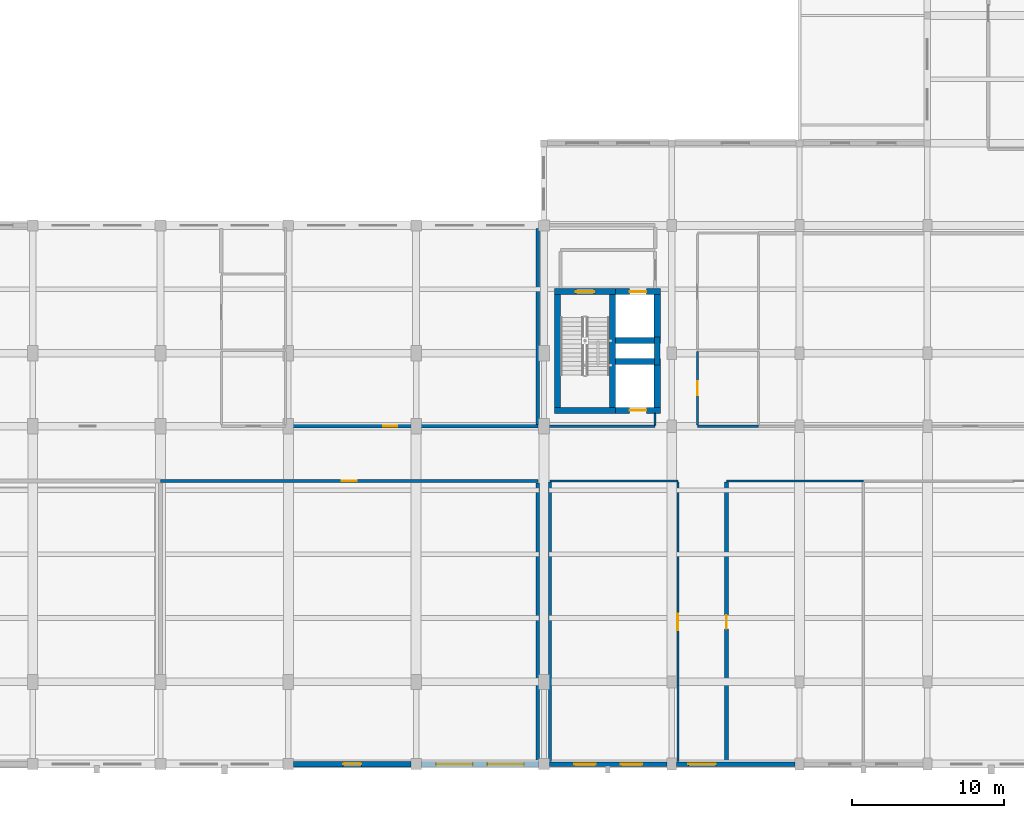
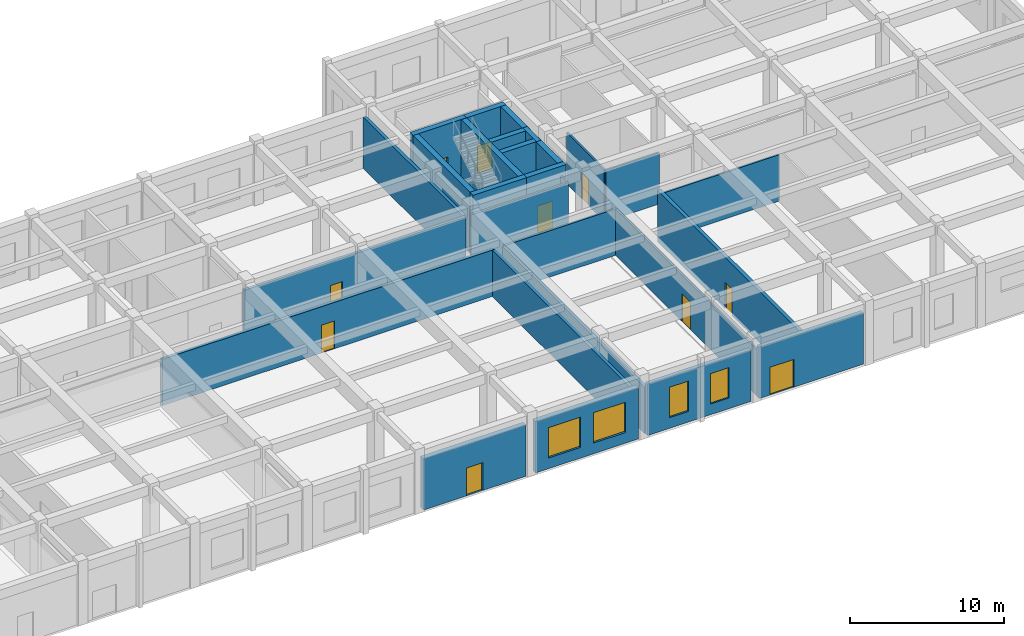
# One storey, part 59 of 80: 28 walls, 10 doors, 4 windows, 14 openings.
"""IFC4 building model written with IfcOpenShell, lengths in metres."""

from ifc_helpers import new_model, si_unit, direction, frame, frame_2d, origin, place, context, subcontext, project, spatial, rectangle, extrude, material, layer, layer_set, type_object, element, fill, save


model = new_model("IFC4")

# Units and contexts
model_context = context("Model", 3, precision=1e-05, world=origin(), true_north=direction((0.0, 1.0)))
body_context = subcontext(model_context, "Body", "Model", "MODEL_VIEW")
ifc_project = project(units=[si_unit("LENGTHUNIT", "METRE"), si_unit("AREAUNIT", "SQUARE_METRE"), si_unit("VOLUMEUNIT", "CUBIC_METRE"), si_unit("PLANEANGLEUNIT", "RADIAN"), si_unit("MASSUNIT", "GRAM", prefix="KILO")], contexts=[model_context])

# Site, building, storey
site_placement = place(None, origin())
site = spatial("IfcSite", under=ifc_project, at=site_placement, CompositionType="ELEMENT")
building_placement = place(site_placement, origin())
building = spatial("IfcBuilding", under=site, at=building_placement, Name="Krzemoval Escarpment Law Courts", CompositionType="ELEMENT")
storey_placement = place(building_placement, origin())
storey = spatial("IfcBuildingStorey", under=building, at=storey_placement, Name="L00", CompositionType="ELEMENT", Elevation=0.0)

# Wall, opening, door
ifc_material_1 = material(Name="Precast concrete C40/50", Category="concrete")
ifc_layer_1 = layer(ifc_material_1, 0.300048828125)
ifc_layer_set_1 = layer_set([ifc_layer_1], Name="Precast concrete C40/50")
wall_type_1 = type_object("IfcWallType", Name="WL-EXT-300", PredefinedType="SOLIDWALL", material=ifc_layer_set_1)
wall_1_placement = place(storey_placement, frame((125.699951171875, 0.0, 0.0), z_axis=(0.0, 0.0, 1.0), x_axis=(-1.0, 0.0, 0.0)))
wall_1 = element("IfcWall", 1, at=wall_1_placement, inside=storey, type_object=wall_type_1, Name="Exterior Wall EW-L00-0132", PredefinedType="SOLIDWALL", context=body_context, shape_type="SweptSolid", body=[
    extrude(rectangle(XDim=7.800048828125, YDim=0.300048828125, at=frame_2d((3.89990234375, 0.0))), origin(), (0.0, 0.0, 1.0), 4.070068359375),
])
opening_1_placement = place(wall_1_placement, frame((5.199951171875, 0.0, 0.0)))
opening_1 = element("IfcOpeningElement", 2, at=opening_1_placement, cuts=wall_1, Name="Opening E06A", PredefinedType="OPENING", context=body_context, shape_type="SweptSolid", body=[
    extrude(rectangle(XDim=1.800048828125, YDim=2.199951171875, at=frame_2d((0.89990234375, 1.10009765625))), frame((0.0, 0.16502, 0.0), z_axis=(0.0, -1.0, 0.0), x_axis=(1.0, 0.0, 0.0)), (0.0, 0.0, 1.0), 0.33005),
])
ifc_material_2 = material(Name="Galvanised Steel S355", Category="steel")
door_type_1 = type_object("IfcDoorType", Name="DR-EXIT-1800x2200", OperationType="SINGLE_SWING_LEFT", PredefinedType="DOOR", material=ifc_material_2)
door_1_placement = place(opening_1_placement, origin())
door_1 = element("IfcDoor", 3, at=door_1_placement, inside=storey, type_object=door_type_1, Name="Final Exit Discharge Door E06A (Stair ST6 South Street)", OperationType="DOUBLE_DOOR_SINGLE_SWING", OverallHeight=2.199951171875, OverallWidth=1.800048828125, PredefinedType="DOOR", context=body_context, shape_type="SweptSolid", body=[
    extrude(rectangle(XDim=1.800048828125, YDim=2.199951171875, at=frame_2d((0.89990234375, 1.10009765625))), frame((0.0, 0.02490234375, 0.0), z_axis=(0.0, -1.0, 0.0), x_axis=(1.0, 0.0, 0.0)), (0.0, 0.0, 1.0), 0.050048828125),
])
fill(opening_1, door_1)

# Wall, openings, windows
wall_2_placement = place(storey_placement, frame((117.300048828125, 0.0, 0.0), z_axis=(0.0, 0.0, 1.0), x_axis=(-1.0, 0.0, 0.0)))
wall_2 = element("IfcWall", 4, at=wall_2_placement, inside=storey, type_object=wall_type_1, Name="Exterior Wall EW-L00-0133", PredefinedType="SOLIDWALL", context=body_context, shape_type="SweptSolid", body=[
    extrude(rectangle(XDim=7.75, YDim=0.300048828125, at=frame_2d((3.875, 0.0))), origin(), (0.0, 0.0, 1.0), 4.070068359375),
])
opening_2_placement = place(wall_2_placement, frame((1.64990234375, 0.0, 0.85009765625)))
opening_2 = element("IfcOpeningElement", 5, at=opening_2_placement, cuts=wall_2, Name="Opening WN-L00-0086", PredefinedType="OPENING", context=body_context, shape_type="SweptSolid", body=[
    extrude(rectangle(XDim=1.39990234375, YDim=2.39990234375, at=frame_2d((0.699951171875, 1.199951171875))), frame((0.0, 0.16502, 0.0), z_axis=(0.0, -1.0, 0.0), x_axis=(1.0, 0.0, 0.0)), (0.0, 0.0, 1.0), 0.33005),
])
opening_3_placement = place(wall_2_placement, frame((4.699951171875, 0.0, 0.85009765625)))
opening_3 = element("IfcOpeningElement", 6, at=opening_3_placement, cuts=wall_2, Name="Opening WN-L00-0087", PredefinedType="OPENING", context=body_context, shape_type="SweptSolid", body=[
    extrude(rectangle(XDim=1.39990234375, YDim=2.39990234375, at=frame_2d((0.699951171875, 1.199951171875))), frame((0.0, 0.16502, 0.0), z_axis=(0.0, -1.0, 0.0), x_axis=(1.0, 0.0, 0.0)), (0.0, 0.0, 1.0), 0.33005),
])
ifc_material_3 = material(Name="Thermally Broken Aluminium Frame with Triple Low-E Acoustic Glass", Category="aluminium")
window_type_1 = type_object("IfcWindowType", Name="WN-1400x2400", PartitioningType="SINGLE_PANEL", PredefinedType="WINDOW", material=ifc_material_3)
window_1_placement = place(opening_2_placement, origin())
window_1 = element("IfcWindow", 7, at=window_1_placement, inside=storey, type_object=window_type_1, Name="Facade Window WN-L00-0086", OverallHeight=2.39990234375, OverallWidth=1.39990234375, PartitioningType="SINGLE_PANEL", PredefinedType="WINDOW", context=body_context, shape_type="SweptSolid", body=[
    extrude(rectangle(XDim=1.39990234375, YDim=2.39990234375, at=frame_2d((0.699951171875, 1.199951171875))), frame((0.0, 0.030029296875, 0.0), z_axis=(0.0, -1.0, 0.0), x_axis=(1.0, 0.0, 0.0)), (0.0, 0.0, 1.0), 0.06005859375),
])
fill(opening_2, window_1)
window_2_placement = place(opening_3_placement, origin())
window_2 = element("IfcWindow", 8, at=window_2_placement, inside=storey, type_object=window_type_1, Name="Facade Window WN-L00-0087", OverallHeight=2.39990234375, OverallWidth=1.39990234375, PartitioningType="SINGLE_PANEL", PredefinedType="WINDOW", context=body_context, shape_type="SweptSolid", body=[
    extrude(rectangle(XDim=1.39990234375, YDim=2.39990234375, at=frame_2d((0.699951171875, 1.199951171875))), frame((0.0, 0.030029296875, 0.0), z_axis=(0.0, -1.0, 0.0), x_axis=(1.0, 0.0, 0.0)), (0.0, 0.0, 1.0), 0.06005859375),
])
fill(opening_3, window_2)

ifc_material_4 = material(Name="Precast concrete C40/50", Category="concrete")
ifc_layer_2 = layer(ifc_material_4, 0.360107421875)
ifc_layer_set_2 = layer_set([ifc_layer_2], Name="Precast concrete C40/50")
wall_type_2 = type_object("IfcWallType", Name="WL-EXT-360", PredefinedType="SOLIDWALL", material=ifc_layer_set_2)
wall_3_placement = place(storey_placement, frame((108.85009765625, 0.0, 0.0), z_axis=(0.0, 0.0, 1.0), x_axis=(-1.0, 0.0, 0.0)))
wall_3 = element("IfcWall", 9, at=wall_3_placement, inside=storey, type_object=wall_type_2, Name="Exterior Wall EW-L00-0134", PredefinedType="SOLIDWALL", context=body_context, shape_type="SweptSolid", body=[
    extrude(rectangle(XDim=7.7001953125, YDim=0.360107421875, at=frame_2d((3.85009765625, 0.0))), origin(), (0.0, 0.0, 1.0), 4.070068359375),
])
opening_4_placement = place(wall_3_placement, frame((0.967041015625, 0.0, 0.85009765625)))
opening_4 = element("IfcOpeningElement", 10, at=opening_4_placement, cuts=wall_3, Name="Opening WN-L00-0088", PredefinedType="OPENING", context=body_context, shape_type="SweptSolid", body=[
    extrude(rectangle(XDim=2.39990234375, YDim=2.39990234375, at=frame_2d((1.199951171875, 1.199951171875))), frame((0.0, 0.19505, 0.0), z_axis=(0.0, -1.0, 0.0), x_axis=(1.0, 0.0, 0.0)), (0.0, 0.0, 1.0), 0.39011),
])
opening_5_placement = place(wall_3_placement, frame((4.3330078125, 0.0, 0.85009765625)))
opening_5 = element("IfcOpeningElement", 11, at=opening_5_placement, cuts=wall_3, Name="Opening WN-L00-0089", PredefinedType="OPENING", context=body_context, shape_type="SweptSolid", body=[
    extrude(rectangle(XDim=2.39990234375, YDim=2.39990234375, at=frame_2d((1.199951171875, 1.199951171875))), frame((0.0, 0.19505, 0.0), z_axis=(0.0, -1.0, 0.0), x_axis=(1.0, 0.0, 0.0)), (0.0, 0.0, 1.0), 0.39011),
])
ifc_material_5 = material(Name="Thermally Broken Aluminium Frame with Triple Low-E Acoustic Glass", Category="aluminium")
window_type_2 = type_object("IfcWindowType", Name="WN-2400x2400", PartitioningType="SINGLE_PANEL", PredefinedType="WINDOW", material=ifc_material_5)
window_3_placement = place(opening_4_placement, origin())
window_3 = element("IfcWindow", 12, at=window_3_placement, inside=storey, type_object=window_type_2, Name="Facade Window WN-L00-0088", OverallHeight=2.39990234375, OverallWidth=2.39990234375, PartitioningType="SINGLE_PANEL", PredefinedType="WINDOW", context=body_context, shape_type="SweptSolid", body=[
    extrude(rectangle(XDim=2.39990234375, YDim=2.39990234375, at=frame_2d((1.199951171875, 1.199951171875))), frame((0.0, 0.030029296875, 0.0), z_axis=(0.0, -1.0, 0.0), x_axis=(1.0, 0.0, 0.0)), (0.0, 0.0, 1.0), 0.06005859375),
])
fill(opening_4, window_3)
window_4_placement = place(opening_5_placement, origin())
window_4 = element("IfcWindow", 13, at=window_4_placement, inside=storey, type_object=window_type_2, Name="Facade Window WN-L00-0089", OverallHeight=2.39990234375, OverallWidth=2.39990234375, PartitioningType="SINGLE_PANEL", PredefinedType="WINDOW", context=body_context, shape_type="SweptSolid", body=[
    extrude(rectangle(XDim=2.39990234375, YDim=2.39990234375, at=frame_2d((1.199951171875, 1.199951171875))), frame((0.0, 0.030029296875, 0.0), z_axis=(0.0, -1.0, 0.0), x_axis=(1.0, 0.0, 0.0)), (0.0, 0.0, 1.0), 0.06005859375),
])
fill(opening_5, window_4)

# Wall, opening, door
wall_4_placement = place(storey_placement, frame((100.449951171875, 0.0, 0.0), z_axis=(0.0, 0.0, 1.0), x_axis=(-1.0, 0.0, 0.0)))
wall_4 = element("IfcWall", 14, at=wall_4_placement, inside=storey, type_object=wall_type_2, Name="Exterior Wall EW-L00-0135", PredefinedType="SOLIDWALL", context=body_context, shape_type="SweptSolid", body=[
    extrude(rectangle(XDim=7.699951171875, YDim=0.360107421875, at=frame_2d((3.85009765625, 0.0))), origin(), (0.0, 0.0, 1.0), 4.070068359375),
])
opening_6_placement = place(wall_4_placement, frame((3.25, 0.0, 0.0)))
opening_6 = element("IfcOpeningElement", 15, at=opening_6_placement, cuts=wall_4, Name="Opening ED-L00-14", PredefinedType="OPENING", context=body_context, shape_type="SweptSolid", body=[
    extrude(rectangle(XDim=1.199951171875, YDim=2.199951171875, at=frame_2d((0.60009765625, 1.10009765625))), frame((0.0, 0.19505, 0.0), z_axis=(0.0, -1.0, 0.0), x_axis=(1.0, 0.0, 0.0)), (0.0, 0.0, 1.0), 0.39011),
])
ifc_material_6 = material(Name="Galvanised Steel S355", Category="steel")
door_type_2 = type_object("IfcDoorType", Name="DR-EXT-1200x2200", OperationType="SINGLE_SWING_LEFT", PredefinedType="DOOR", material=ifc_material_6)
door_2_placement = place(opening_6_placement, origin())
door_2 = element("IfcDoor", 16, at=door_2_placement, inside=storey, type_object=door_type_2, Name="Ground Entrance Door ED-L00-14", OperationType="SINGLE_SWING_LEFT", OverallHeight=2.199951171875, OverallWidth=1.199951171875, PredefinedType="DOOR", context=body_context, shape_type="SweptSolid", body=[
    extrude(rectangle(XDim=1.199951171875, YDim=2.199951171875, at=frame_2d((0.60009765625, 1.10009765625))), frame((0.0, 0.02490234375, 0.0), z_axis=(0.0, -1.0, 0.0), x_axis=(1.0, 0.0, 0.0)), (0.0, 0.0, 1.0), 0.050048828125),
])
fill(opening_6, door_2)

# Walls
ifc_material_7 = material(Name="Light Internal Subdivision Partition", Category="gypsum")
ifc_layer_3 = layer(ifc_material_7, 0.114990234375)
ifc_layer_set_3 = layer_set([ifc_layer_3], Name="Light Internal Subdivision Partition")
wall_type_3 = type_object("IfcWallType", Name="WL-PRT-115", PredefinedType="PARTITIONING", material=ifc_layer_set_3)
wall_5_placement = place(storey_placement, frame((116.5, 22.277099609375, 0.0), z_axis=(0.0, 0.0, 1.0), x_axis=(0.0, 1.0, 0.0)))
element("IfcWall", 17, at=wall_5_placement, inside=storey, type_object=wall_type_3, Name="Interior Partition PW-L00-0196", PredefinedType="PARTITIONING", context=body_context, shape_type="SweptSolid", body=[
    extrude(rectangle(XDim=0.77099609375, YDim=0.114990234375, at=frame_2d((0.385498046875, 0.0))), origin(), (0.0, 0.0, 1.0), 4.070068359375),
])
ifc_material_8 = material(Name="Sanitary Moisture-Resistant Partition", Category="gypsum")
ifc_layer_4 = layer(ifc_material_8, 0.139892578125)
ifc_layer_set_4 = layer_set([ifc_layer_4], Name="Sanitary Moisture-Resistant Partition")
wall_type_4 = type_object("IfcWallType", Name="WL-PRT-140", PredefinedType="PARTITIONING", material=ifc_layer_set_4)
wall_6_placement = place(storey_placement, frame((121.199951171875, 18.60009765625, 0.0), z_axis=(0.0, 0.0, 1.0), x_axis=(1.0, 0.0, 0.0)))
element("IfcWall", 18, at=wall_6_placement, inside=storey, type_object=wall_type_4, Name="Interior Partition PW-L00-0089", PredefinedType="PARTITIONING", context=body_context, shape_type="SweptSolid", body=[
    extrude(rectangle(XDim=9.0, YDim=0.139892578125, at=frame_2d((4.5, 0.0))), origin(), (0.0, 0.0, 1.0), 3.669921875),
])
wall_7_placement = place(storey_placement, frame((119.300048828125, 22.199951171875, 0.0), z_axis=(0.0, 0.0, 1.0), x_axis=(1.0, 0.0, 0.0)))
element("IfcWall", 19, at=wall_7_placement, inside=storey, type_object=wall_type_4, Name="Interior Partition PW-L00-0100", PredefinedType="PARTITIONING", context=body_context, shape_type="SweptSolid", body=[
    extrude(rectangle(XDim=4.0, YDim=0.139892578125, at=frame_2d((2.0, 0.0))), origin(), (0.0, 0.0, 1.0), 4.070068359375),
])

# Wall, opening, door
wall_8_placement = place(storey_placement, frame((118.0, 0.152099609375, 0.0), z_axis=(0.0, 0.0, 1.0), x_axis=(0.0, 1.0, 0.0)))
wall_8 = element("IfcWall", 20, at=wall_8_placement, inside=storey, type_object=wall_type_4, Name="Interior Partition PW-L00-0198", PredefinedType="PARTITIONING", context=body_context, shape_type="SweptSolid", body=[
    extrude(rectangle(XDim=18.370849609375, YDim=0.139892578125, at=frame_2d((9.185546875, 0.0))), origin(), (0.0, 0.0, 1.0), 3.669921875),
])
opening_7_placement = place(wall_8_placement, frame((8.635009765625, 0.0, 0.0)))
opening_7 = element("IfcOpeningElement", 21, at=opening_7_placement, cuts=wall_8, Name="Opening D-L00-0054", PredefinedType="OPENING", context=body_context, shape_type="SweptSolid", body=[
    extrude(rectangle(XDim=1.10009765625, YDim=2.199951171875, at=frame_2d((0.550048828125, 1.10009765625))), frame((0.0, 0.08495, 0.0), z_axis=(0.0, -1.0, 0.0), x_axis=(1.0, 0.0, 0.0)), (0.0, 0.0, 1.0), 0.16989),
])
ifc_material_9 = material(Name="Engineered Solid-Core Oak Acoustic Timber", Category="wood")
door_type_3 = type_object("IfcDoorType", Name="DR-INT-1100x2200", OperationType="SINGLE_SWING_LEFT", PredefinedType="DOOR", material=ifc_material_9)
door_3_placement = place(opening_7_placement, origin())
door_3 = element("IfcDoor", 22, at=door_3_placement, inside=storey, type_object=door_type_3, Name="Room Door D-L00-0054", OperationType="SINGLE_SWING_RIGHT", OverallHeight=2.199951171875, OverallWidth=1.10009765625, PredefinedType="DOOR", context=body_context, shape_type="SweptSolid", body=[
    extrude(rectangle(XDim=1.10009765625, YDim=2.199951171875, at=frame_2d((0.550048828125, 1.10009765625))), frame((0.0, 0.02490234375, 0.0), z_axis=(0.0, -1.0, 0.0), x_axis=(1.0, 0.0, 0.0)), (0.0, 0.0, 1.0), 0.050048828125),
])
fill(opening_7, door_3)

wall_9_placement = place(storey_placement, frame((119.300048828125, 22.27197265625, 0.0), z_axis=(0.0, 0.0, 1.0), x_axis=(0.0, 1.0, 0.0)))
wall_9 = element("IfcWall", 23, at=wall_9_placement, inside=storey, type_object=wall_type_4, Name="Interior Partition PW-L00-0199", PredefinedType="PARTITIONING", context=body_context, shape_type="SweptSolid", body=[
    extrude(rectangle(XDim=4.85595703125, YDim=0.139892578125, at=frame_2d((2.427978515625, 0.0))), origin(), (0.0, 0.0, 1.0), 4.070068359375),
])
opening_8_placement = place(wall_9_placement, frame((1.97802734375, 0.0, 0.0)))
opening_8 = element("IfcOpeningElement", 24, at=opening_8_placement, cuts=wall_9, Name="Opening D-L00-0057", PredefinedType="OPENING", context=body_context, shape_type="SweptSolid", body=[
    extrude(rectangle(XDim=0.89990234375, YDim=2.10009765625, at=frame_2d((0.449951171875, 1.050048828125))), frame((0.0, 0.08495, 0.0), z_axis=(0.0, -1.0, 0.0), x_axis=(1.0, 0.0, 0.0)), (0.0, 0.0, 1.0), 0.16989),
])
ifc_material_10 = material(Name="Engineered Solid-Core Oak Acoustic Timber", Category="wood")
door_type_4 = type_object("IfcDoorType", Name="DR-INT-900x2100", OperationType="SINGLE_SWING_LEFT", PredefinedType="DOOR", material=ifc_material_10)
door_4_placement = place(opening_8_placement, origin())
door_4 = element("IfcDoor", 25, at=door_4_placement, inside=storey, type_object=door_type_4, Name="Room Door D-L00-0057", OperationType="SINGLE_SWING_LEFT", OverallHeight=2.10009765625, OverallWidth=0.89990234375, PredefinedType="DOOR", context=body_context, shape_type="SweptSolid", body=[
    extrude(rectangle(XDim=0.89990234375, YDim=2.10009765625, at=frame_2d((0.449951171875, 1.050048828125))), frame((0.0, 0.02490234375, 0.0), z_axis=(0.0, -1.0, 0.0), x_axis=(1.0, 0.0, 0.0)), (0.0, 0.0, 1.0), 0.050048828125),
])
fill(opening_8, door_4)

# Walls
ifc_material_11 = material(Name="Office Acoustic Partition Wall", Category="gypsum")
ifc_layer_5 = layer(ifc_material_11, 0.14990234375)
ifc_layer_set_5 = layer_set([ifc_layer_5], Name="Office Acoustic Partition Wall")
wall_type_5 = type_object("IfcWallType", Name="WL-PRT-150", PredefinedType="PARTITIONING", material=ifc_layer_set_5)
wall_10_placement = place(storey_placement, frame((109.60009765625, 18.60009765625, 0.0), z_axis=(0.0, 0.0, 1.0), x_axis=(1.0, 0.0, 0.0)))
element("IfcWall", 26, at=wall_10_placement, inside=storey, type_object=wall_type_5, Name="Interior Partition PW-L00-0088", PredefinedType="PARTITIONING", context=body_context, shape_type="SweptSolid", body=[
    extrude(rectangle(XDim=8.39990234375, YDim=0.14990234375, at=frame_2d((4.199951171875, 0.0))), origin(), (0.0, 0.0, 1.0), 3.669921875),
])
wall_11_placement = place(storey_placement, frame((109.199951171875, 22.199951171875, 0.0), z_axis=(0.0, 0.0, 1.0), x_axis=(1.0, 0.0, 0.0)))
element("IfcWall", 27, at=wall_11_placement, inside=storey, type_object=wall_type_5, Name="Interior Partition PW-L00-0099", PredefinedType="PARTITIONING", context=body_context, shape_type="SweptSolid", body=[
    extrude(rectangle(XDim=7.300048828125, YDim=0.14990234375, at=frame_2d((3.64990234375, 0.0))), origin(), (0.0, 0.0, 1.0), 4.070068359375),
])

# Wall, opening, door
ifc_material_12 = material(Name="Solid Calcium-Silicate Custody Blockwork Partition", Category="masonry")
ifc_layer_6 = layer(ifc_material_12, 0.219970703125)
ifc_layer_set_6 = layer_set([ifc_layer_6], Name="Solid Calcium-Silicate Custody Blockwork Partition")
wall_type_6 = type_object("IfcWallType", Name="WL-PRT-220", PredefinedType="PARTITIONING", material=ifc_layer_set_6)
wall_12_placement = place(storey_placement, frame((84.0, 18.60009765625, 0.0), z_axis=(0.0, 0.0, 1.0), x_axis=(1.0, 0.0, 0.0)))
wall_12 = element("IfcWall", 28, at=wall_12_placement, inside=storey, type_object=wall_type_6, Name="Interior Partition PW-L00-0087", PredefinedType="PARTITIONING", context=body_context, shape_type="SweptSolid", body=[
    extrude(rectangle(XDim=24.800048828125, YDim=0.219970703125, at=frame_2d((12.39990234375, 0.0))), origin(), (0.0, 0.0, 1.0), 3.669921875),
])
opening_9_placement = place(wall_12_placement, frame((11.89990234375, 0.0, 0.0)))
opening_9 = element("IfcOpeningElement", 29, at=opening_9_placement, cuts=wall_12, Name="Opening D-L00-0048", PredefinedType="OPENING", context=body_context, shape_type="SweptSolid", body=[
    extrude(rectangle(XDim=1.0, YDim=2.199951171875, at=frame_2d((0.5, 1.10009765625))), frame((0.0, 0.12499, 0.0), z_axis=(0.0, -1.0, 0.0), x_axis=(1.0, 0.0, 0.0)), (0.0, 0.0, 1.0), 0.24997),
])
ifc_material_13 = material(Name="Engineered Solid-Core Oak Acoustic Timber", Category="wood")
door_type_5 = type_object("IfcDoorType", Name="DR-INT-1000x2200", OperationType="SINGLE_SWING_LEFT", PredefinedType="DOOR", material=ifc_material_13)
door_5_placement = place(opening_9_placement, origin())
door_5 = element("IfcDoor", 30, at=door_5_placement, inside=storey, type_object=door_type_5, Name="Room Door D-L00-0048", OperationType="SINGLE_SWING_RIGHT", OverallHeight=2.199951171875, OverallWidth=1.0, PredefinedType="DOOR", context=body_context, shape_type="SweptSolid", body=[
    extrude(rectangle(XDim=1.0, YDim=2.199951171875, at=frame_2d((0.5, 1.10009765625))), frame((0.0, 0.02490234375, 0.0), z_axis=(0.0, -1.0, 0.0), x_axis=(1.0, 0.0, 0.0)), (0.0, 0.0, 1.0), 0.050048828125),
])
fill(opening_9, door_5)

wall_13_placement = place(storey_placement, frame((92.199951171875, 22.199951171875, 0.0), z_axis=(0.0, 0.0, 1.0), x_axis=(1.0, 0.0, 0.0)))
wall_13 = element("IfcWall", 31, at=wall_13_placement, inside=storey, type_object=wall_type_6, Name="Interior Partition PW-L00-0098", PredefinedType="PARTITIONING", context=body_context, shape_type="SweptSolid", body=[
    extrude(rectangle(XDim=16.60009765625, YDim=0.219970703125, at=frame_2d((8.300048828125, 0.0))), origin(), (0.0, 0.0, 1.0), 4.070068359375),
])
opening_10_placement = place(wall_13_placement, frame((6.449951171875, 0.0, 0.0)))
opening_10 = element("IfcOpeningElement", 32, at=opening_10_placement, cuts=wall_13, Name="Opening D-L00-0053", PredefinedType="OPENING", context=body_context, shape_type="SweptSolid", body=[
    extrude(rectangle(XDim=0.89990234375, YDim=2.199951171875, at=frame_2d((0.449951171875, 1.10009765625))), frame((0.0, 0.12499, 0.0), z_axis=(0.0, -1.0, 0.0), x_axis=(1.0, 0.0, 0.0)), (0.0, 0.0, 1.0), 0.24997),
])
ifc_material_14 = material(Name="Engineered Solid-Core Oak Acoustic Timber", Category="wood")
door_type_6 = type_object("IfcDoorType", Name="DR-INT-900x2200", OperationType="SINGLE_SWING_LEFT", PredefinedType="DOOR", material=ifc_material_14)
door_6_placement = place(opening_10_placement, origin())
door_6 = element("IfcDoor", 33, at=door_6_placement, inside=storey, type_object=door_type_6, Name="Room Door D-L00-0053", OperationType="SINGLE_SWING_LEFT", OverallHeight=2.199951171875, OverallWidth=0.89990234375, PredefinedType="DOOR", context=body_context, shape_type="SweptSolid", body=[
    extrude(rectangle(XDim=0.89990234375, YDim=2.199951171875, at=frame_2d((0.449951171875, 1.10009765625))), frame((0.0, 0.02490234375, 0.0), z_axis=(0.0, -1.0, 0.0), x_axis=(1.0, 0.0, 0.0)), (0.0, 0.0, 1.0), 0.050048828125),
])
fill(opening_10, door_6)

# Walls
wall_14_placement = place(storey_placement, frame((108.800048828125, 0.181884765625, 0.0), z_axis=(0.0, 0.0, 1.0), x_axis=(0.0, 1.0, 0.0)))
element("IfcWall", 34, at=wall_14_placement, inside=storey, type_object=wall_type_6, Name="Interior Partition PW-L00-0191", PredefinedType="PARTITIONING", context=body_context, shape_type="SweptSolid", body=[
    extrude(rectangle(XDim=18.30615234375, YDim=0.219970703125, at=frame_2d((9.153076171875, 0.0))), origin(), (0.0, 0.0, 1.0), 3.669921875),
])
wall_15_placement = place(storey_placement, frame((109.60009765625, 0.152099609375, 0.0), z_axis=(0.0, 0.0, 1.0), x_axis=(0.0, 1.0, 0.0)))
element("IfcWall", 35, at=wall_15_placement, inside=storey, type_object=wall_type_6, Name="Interior Partition PW-L00-0193", PredefinedType="PARTITIONING", context=body_context, shape_type="SweptSolid", body=[
    extrude(rectangle(XDim=18.370849609375, YDim=0.219970703125, at=frame_2d((9.185546875, 0.0))), origin(), (0.0, 0.0, 1.0), 3.669921875),
])
ifc_material_15 = material(Name="Acoustic Calcium-Silicate Block Wall", Category="masonry")
ifc_layer_7 = layer(ifc_material_15, 0.22998046875)
ifc_layer_set_7 = layer_set([ifc_layer_7], Name="Acoustic Calcium-Silicate Block Wall")
wall_type_7 = type_object("IfcWallType", Name="WL-PRT-230", PredefinedType="SOLIDWALL", material=ifc_layer_set_7)
wall_16_placement = place(storey_placement, frame((108.800048828125, 22.31201171875, 0.0), z_axis=(0.0, 0.0, 1.0), x_axis=(0.0, 1.0, 0.0)))
element("IfcWall", 36, at=wall_16_placement, inside=storey, type_object=wall_type_7, Name="Interior Partition PW-L00-0192", PredefinedType="SOLIDWALL", context=body_context, shape_type="SweptSolid", body=[
    extrude(rectangle(XDim=12.906005859375, YDim=0.22998046875, at=frame_2d((6.453125, 0.0))), origin(), (0.0, 0.0, 1.0), 4.070068359375),
])

# Wall, opening, door
ifc_material_16 = material(Name="Acoustic Double-Stud Gypsum and Mineral Wool Wall", Category="gypsum")
ifc_layer_8 = layer(ifc_material_16, 0.260009765625)
ifc_layer_set_8 = layer_set([ifc_layer_8], Name="Acoustic Double-Stud Gypsum and Mineral Wool Wall")
wall_type_8 = type_object("IfcWallType", Name="WL-PRT-260", PredefinedType="PARTITIONING", material=ifc_layer_set_8)
wall_17_placement = place(storey_placement, frame((121.199951171875, 0.152099609375, 0.0), z_axis=(0.0, 0.0, 1.0), x_axis=(0.0, 1.0, 0.0)))
wall_17 = element("IfcWall", 37, at=wall_17_placement, inside=storey, type_object=wall_type_8, Name="Interior Partition PW-L00-0201", PredefinedType="PARTITIONING", context=body_context, shape_type="SweptSolid", body=[
    extrude(rectangle(XDim=18.3759765625, YDim=0.260009765625, at=frame_2d((9.18798828125, 0.0))), origin(), (0.0, 0.0, 1.0), 4.070068359375),
])
opening_11_placement = place(wall_17_placement, frame((8.738037109375, 0.0, 0.0)))
opening_11 = element("IfcOpeningElement", 38, at=opening_11_placement, cuts=wall_17, Name="Opening D-L00-0055", PredefinedType="OPENING", context=body_context, shape_type="SweptSolid", body=[
    extrude(rectangle(XDim=0.89990234375, YDim=2.10009765625, at=frame_2d((0.449951171875, 1.050048828125))), frame((0.0, 0.145, 0.0), z_axis=(0.0, -1.0, 0.0), x_axis=(1.0, 0.0, 0.0)), (0.0, 0.0, 1.0), 0.29001),
])
door_7_placement = place(opening_11_placement, origin())
door_7 = element("IfcDoor", 39, at=door_7_placement, inside=storey, type_object=door_type_4, Name="Room Door D-L00-0055", OperationType="SINGLE_SWING_LEFT", OverallHeight=2.10009765625, OverallWidth=0.89990234375, PredefinedType="DOOR", context=body_context, shape_type="SweptSolid", body=[
    extrude(rectangle(XDim=0.89990234375, YDim=2.10009765625, at=frame_2d((0.449951171875, 1.050048828125))), frame((0.0, 0.02490234375, 0.0), z_axis=(0.0, -1.0, 0.0), x_axis=(1.0, 0.0, 0.0)), (0.0, 0.0, 1.0), 0.050048828125),
])
fill(opening_11, door_7)

# Wall
ifc_material_17 = material(Name="Concrete C40/50", Category="concrete")
ifc_layer_9 = layer(ifc_material_17, 0.35009765625)
ifc_layer_set_9 = layer_set([ifc_layer_9], Name="Concrete C40/50")
wall_type_9 = type_object("IfcWallType", Name="WL-SHW-350", PredefinedType="SHEAR", material=ifc_layer_set_9)
wall_18_placement = place(storey_placement, frame((116.64990234375, 26.242919921875, 0.0), z_axis=(0.0, 0.0, 1.0), x_axis=(0.0, 1.0, 0.0)))
element("IfcWall", 40, at=wall_18_placement, inside=storey, type_object=wall_type_9, Name="Riser Shaft Wall SW-L00-0561", PredefinedType="SHEAR", context=body_context, shape_type="SweptSolid", body=[
    extrude(rectangle(XDim=1.81396484375, YDim=0.35009765625, at=frame_2d((0.906982421875, 0.0))), origin(), (0.0, 0.0, 1.0), 4.820068359375),
])

# Wall, opening, door
ifc_material_18 = material(Name="Concrete C40/50", Category="concrete")
ifc_layer_10 = layer(ifc_material_18, 0.39990234375)
ifc_layer_set_10 = layer_set([ifc_layer_10], Name="Concrete C40/50")
wall_type_10 = type_object("IfcWallType", Name="WL-SHW-400", PredefinedType="SHEAR", material=ifc_layer_set_10)
wall_19_placement = place(storey_placement, frame((109.89990234375, 31.050048828125, 0.0), z_axis=(0.0, 0.0, 1.0), x_axis=(1.0, 0.0, 0.0)))
wall_19 = element("IfcWall", 41, at=wall_19_placement, inside=storey, type_object=wall_type_10, Name="Core Stair Shear Wall SW-L00-0551", PredefinedType="SHEAR", context=body_context, shape_type="SweptSolid", body=[
    extrude(rectangle(XDim=4.0, YDim=0.39990234375, at=frame_2d((2.0, 0.0))), origin(), (0.0, 0.0, 1.0), 4.820068359375),
])
opening_12_placement = place(wall_19_placement, frame((1.39990234375, 0.0, 0.0)))
opening_12 = element("IfcOpeningElement", 42, at=opening_12_placement, cuts=wall_19, Name="Opening SD-ST6-L00", PredefinedType="OPENING", context=body_context, shape_type="SweptSolid", body=[
    extrude(rectangle(XDim=1.199951171875, YDim=2.199951171875, at=frame_2d((0.60009765625, 1.10009765625))), frame((0.0, 0.21495, 0.0), z_axis=(0.0, -1.0, 0.0), x_axis=(1.0, 0.0, 0.0)), (0.0, 0.0, 1.0), 0.4299),
])
ifc_material_19 = material(Name="Galvanised Steel S355", Category="steel")
door_type_7 = type_object("IfcDoorType", Name="DR-STR-1200x2200", OperationType="SINGLE_SWING_LEFT", PredefinedType="DOOR", material=ifc_material_19)
door_8_placement = place(opening_12_placement, origin())
door_8 = element("IfcDoor", 43, at=door_8_placement, inside=storey, type_object=door_type_7, Name="Stair Exit Door SD-ST6-L00", OperationType="SINGLE_SWING_LEFT", OverallHeight=2.199951171875, OverallWidth=1.199951171875, PredefinedType="DOOR", context=body_context, shape_type="SweptSolid", body=[
    extrude(rectangle(XDim=1.199951171875, YDim=2.199951171875, at=frame_2d((0.60009765625, 1.10009765625))), frame((0.0, 0.02490234375, 0.0), z_axis=(0.0, -1.0, 0.0), x_axis=(1.0, 0.0, 0.0)), (0.0, 0.0, 1.0), 0.050048828125),
])
fill(opening_12, door_8)

# Walls
wall_20_placement = place(storey_placement, frame((109.89990234375, 23.25, 0.0), z_axis=(0.0, 0.0, 1.0), x_axis=(1.0, 0.0, 0.0)))
element("IfcWall", 44, at=wall_20_placement, inside=storey, type_object=wall_type_10, Name="Core Stair Shear Wall SW-L00-0552", PredefinedType="SHEAR", context=body_context, shape_type="SweptSolid", body=[
    extrude(rectangle(XDim=4.0, YDim=0.39990234375, at=frame_2d((2.0, 0.0))), origin(), (0.0, 0.0, 1.0), 4.820068359375),
])
for number, where, z_axis, x_axis, name in (
    (45, (110.10009765625, 23.451904296875, 0.0), (0.0, 0.0, 1.0), (0.0, 1.0, 0.0), "Core Stair Shear Wall SW-L00-0553"),
    (46, (113.699951171875, 23.451904296875, 0.0), (0.0, 0.0, 1.0), (0.0, 1.0, 0.0), "Core Stair Shear Wall SW-L00-0554"),
):
    element("IfcWall", number, at=place(storey_placement, frame(where, z_axis=z_axis, x_axis=x_axis)), inside=storey, type_object=wall_type_10, Name=name, PredefinedType="SHEAR", context=body_context, shape_type="SweptSolid", body=[
        extrude(rectangle(XDim=7.39599609375, YDim=0.39990234375, at=frame_2d((3.697998046875, 0.0))), origin(), (0.0, 0.0, 1.0), 4.820068359375),
    ])

# Wall, opening, door
wall_21_placement = place(storey_placement, frame((113.89990234375, 23.25, 0.0), z_axis=(0.0, 0.0, 1.0), x_axis=(1.0, 0.0, 0.0)))
wall_21 = element("IfcWall", 47, at=wall_21_placement, inside=storey, type_object=wall_type_10, Name="Lift Shaft Shear Wall SW-L00-0555", PredefinedType="SHEAR", context=body_context, shape_type="SweptSolid", body=[
    extrude(rectangle(XDim=2.9501953125, YDim=0.39990234375, at=frame_2d((1.47509765625, 0.0))), origin(), (0.0, 0.0, 1.0), 4.820068359375),
])
opening_13_placement = place(wall_21_placement, frame((0.925048828125, 0.0, 0.0)))
opening_13 = element("IfcOpeningElement", 48, at=opening_13_placement, cuts=wall_21, Name="Opening LD-CL1-L00", PredefinedType="OPENING", context=body_context, shape_type="SweptSolid", body=[
    extrude(rectangle(XDim=1.10009765625, YDim=2.14990234375, at=frame_2d((0.550048828125, 1.074951171875))), frame((0.0, 0.21495, 0.0), z_axis=(0.0, -1.0, 0.0), x_axis=(1.0, 0.0, 0.0)), (0.0, 0.0, 1.0), 0.4299),
])
ifc_material_20 = material(Name="Stainless Steel Grade 304", Category="steel")
door_type_8 = type_object("IfcDoorType", Name="DR-LFT-1100x2150", OperationType="SINGLE_SWING_LEFT", PredefinedType="DOOR", material=ifc_material_20)
door_9_placement = place(opening_13_placement, origin())
door_9 = element("IfcDoor", 49, at=door_9_placement, inside=storey, type_object=door_type_8, Name="Lift Landing Door LD-CL1-L00", OperationType="DOUBLE_DOOR_SLIDING", OverallHeight=2.14990234375, OverallWidth=1.10009765625, PredefinedType="DOOR", context=body_context, shape_type="SweptSolid", body=[
    extrude(rectangle(XDim=1.10009765625, YDim=2.14990234375, at=frame_2d((0.550048828125, 1.074951171875))), frame((0.0, 0.02490234375, 0.0), z_axis=(0.0, -1.0, 0.0), x_axis=(1.0, 0.0, 0.0)), (0.0, 0.0, 1.0), 0.050048828125),
])
fill(opening_13, door_9)

# Walls
wall_22_placement = place(storey_placement, frame((113.902099609375, 26.449951171875, 0.0), z_axis=(0.0, 0.0, 1.0), x_axis=(1.0, 0.0, 0.0)))
element("IfcWall", 50, at=wall_22_placement, inside=storey, type_object=wall_type_10, Name="Lift Shaft Shear Wall SW-L00-0556", PredefinedType="SHEAR", context=body_context, shape_type="SweptSolid", body=[
    extrude(rectangle(XDim=2.947998046875, YDim=0.39990234375, at=frame_2d((1.47412109375, 0.0))), origin(), (0.0, 0.0, 1.0), 4.820068359375),
])
wall_23_placement = place(storey_placement, frame((116.64990234375, 23.451904296875, 0.0), z_axis=(0.0, 0.0, 1.0), x_axis=(0.0, 1.0, 0.0)))
element("IfcWall", 51, at=wall_23_placement, inside=storey, type_object=wall_type_10, Name="Lift Shaft Shear Wall SW-L00-0557", PredefinedType="SHEAR", context=body_context, shape_type="SweptSolid", body=[
    extrude(rectangle(XDim=2.796142578125, YDim=0.39990234375, at=frame_2d((1.39794921875, 0.0))), origin(), (0.0, 0.0, 1.0), 4.820068359375),
])
wall_24_placement = place(storey_placement, frame((113.902099609375, 27.85009765625, 0.0), z_axis=(0.0, 0.0, 1.0), x_axis=(1.0, 0.0, 0.0)))
element("IfcWall", 52, at=wall_24_placement, inside=storey, type_object=wall_type_10, Name="Lift Shaft Shear Wall SW-L00-0558", PredefinedType="SHEAR", context=body_context, shape_type="SweptSolid", body=[
    extrude(rectangle(XDim=2.947998046875, YDim=0.39990234375, at=frame_2d((1.47412109375, 0.0))), origin(), (0.0, 0.0, 1.0), 4.820068359375),
])

# Wall, opening, door
wall_25_placement = place(storey_placement, frame((113.89990234375, 31.050048828125, 0.0), z_axis=(0.0, 0.0, 1.0), x_axis=(1.0, 0.0, 0.0)))
wall_25 = element("IfcWall", 53, at=wall_25_placement, inside=storey, type_object=wall_type_10, Name="Lift Shaft Shear Wall SW-L00-0559", PredefinedType="SHEAR", context=body_context, shape_type="SweptSolid", body=[
    extrude(rectangle(XDim=2.9501953125, YDim=0.39990234375, at=frame_2d((1.47509765625, 0.0))), origin(), (0.0, 0.0, 1.0), 4.820068359375),
])
opening_14_placement = place(wall_25_placement, frame((0.925048828125, 0.0, 0.0)))
opening_14 = element("IfcOpeningElement", 54, at=opening_14_placement, cuts=wall_25, Name="Opening LD-CL2-L00", PredefinedType="OPENING", context=body_context, shape_type="SweptSolid", body=[
    extrude(rectangle(XDim=1.10009765625, YDim=2.14990234375, at=frame_2d((0.550048828125, 1.074951171875))), frame((0.0, 0.21495, 0.0), z_axis=(0.0, -1.0, 0.0), x_axis=(1.0, 0.0, 0.0)), (0.0, 0.0, 1.0), 0.4299),
])
door_10_placement = place(opening_14_placement, origin())
door_10 = element("IfcDoor", 55, at=door_10_placement, inside=storey, type_object=door_type_8, Name="Lift Landing Door LD-CL2-L00", OperationType="DOUBLE_DOOR_SLIDING", OverallHeight=2.14990234375, OverallWidth=1.10009765625, PredefinedType="DOOR", context=body_context, shape_type="SweptSolid", body=[
    extrude(rectangle(XDim=1.10009765625, YDim=2.14990234375, at=frame_2d((0.550048828125, 1.074951171875))), frame((0.0, 0.02490234375, 0.0), z_axis=(0.0, -1.0, 0.0), x_axis=(1.0, 0.0, 0.0)), (0.0, 0.0, 1.0), 0.050048828125),
])
fill(opening_14, door_10)

# Wall
wall_26_placement = place(storey_placement, frame((116.64990234375, 28.052001953125, 0.0), z_axis=(0.0, 0.0, 1.0), x_axis=(0.0, 1.0, 0.0)))
element("IfcWall", 56, at=wall_26_placement, inside=storey, type_object=wall_type_10, Name="Lift Shaft Shear Wall SW-L00-0560", PredefinedType="SHEAR", context=body_context, shape_type="SweptSolid", body=[
    extrude(rectangle(XDim=2.7958984375, YDim=0.39990234375, at=frame_2d((1.39794921875, 0.0))), origin(), (0.0, 0.0, 1.0), 4.820068359375),
])

save(model, "model.ifc")
